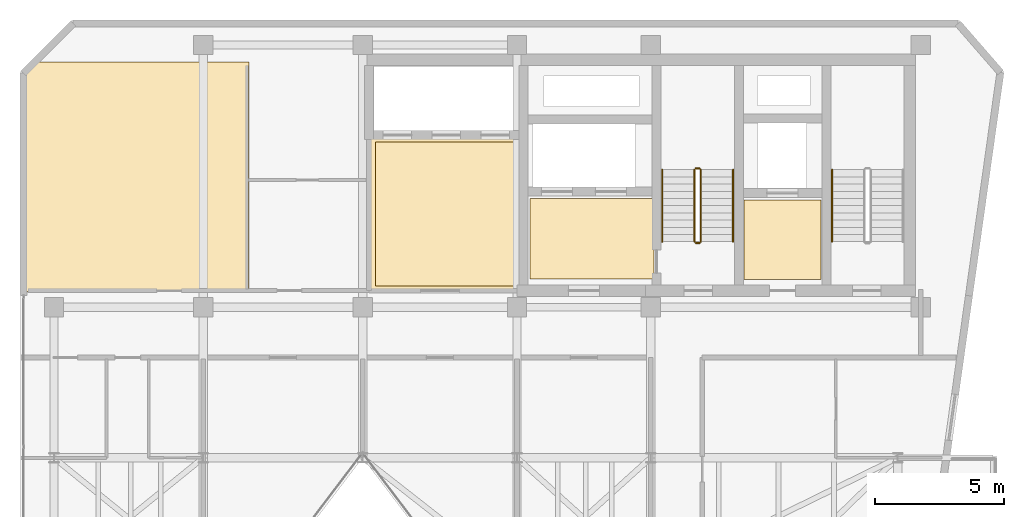
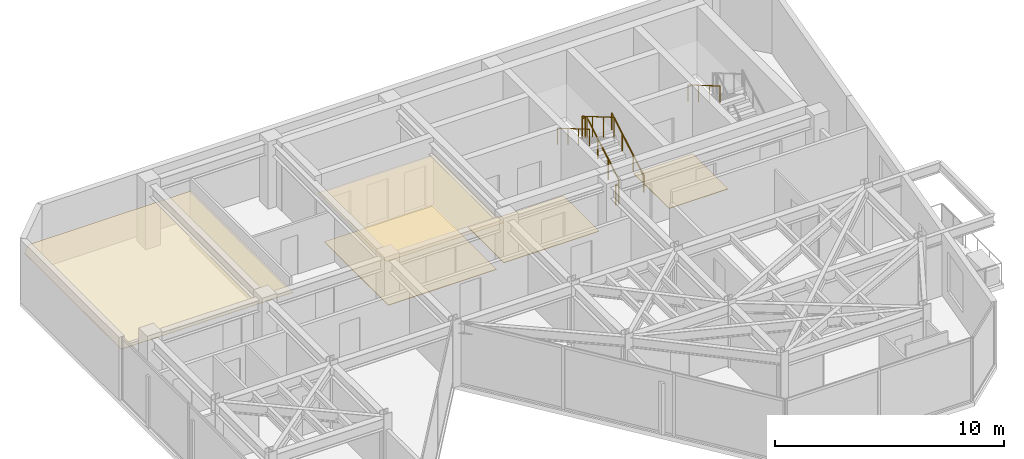
# One storey, part 16 of 17: 7 railings, 5 coverings.
"""IFC4 building model written with IfcOpenShell, lengths in metres."""

from ifc_helpers import new_model, si_unit, direction, frame, origin, origin_2d, place, context, subcontext, project, spatial, polyline, circle, outline, extrude, material, layer, layer_set, type_object, element, save


model = new_model("IFC4")

# Units and contexts
model_context = context("Model", 3, precision=1e-05, world=origin(), true_north=direction((0.0, 1.0)))
body_context = subcontext(model_context, "Body", "Model", "MODEL_VIEW")
ifc_project = project(units=[si_unit("LENGTHUNIT", "METRE"), si_unit("AREAUNIT", "SQUARE_METRE"), si_unit("VOLUMEUNIT", "CUBIC_METRE"), si_unit("PLANEANGLEUNIT", "RADIAN"), si_unit("MASSUNIT", "GRAM", prefix="KILO")], contexts=[model_context])

# Site, building, storey
site_placement = place(None, origin())
site = spatial("IfcSite", under=ifc_project, at=site_placement, CompositionType="ELEMENT")
building_placement = place(site_placement, origin())
building = spatial("IfcBuilding", under=site, at=building_placement, Name="Kravanh Interchange Tower", CompositionType="ELEMENT")
storey_placement = place(building_placement, frame((0.0, 0.0, 285.89990234375)))
storey = spatial("IfcBuildingStorey", under=building, at=storey_placement, Name="L70", CompositionType="ELEMENT", Elevation=285.89990234375)

# Coverings
ifc_material_1 = material(Name="Cementitious Terrazzo Tile")
ifc_layer_1 = layer(ifc_material_1, 0.030029296875)
ifc_layer_set_1 = layer_set([ifc_layer_1], Name="Honed Terrazzo Lobby Flooring 30mm")
covering_type_1 = type_object("IfcCoveringType", Name="Honed Terrazzo Lobby Flooring 30mm", PredefinedType="FLOORING", material=ifc_layer_set_1)
covering_1_placement = place(storey_placement, origin())
element("IfcCovering", 1, at=covering_1_placement, inside=storey, type_object=covering_type_1, Name="L70 Service Lift Lobby Floor Finish", PredefinedType="FLOORING", context=body_context, shape_type="SweptSolid", body=[
    extrude(outline(polyline([(59.6298828125, 41.52001953125), (62.6201171875, 41.52001953125), (62.6201171875, 38.429931640625), (59.6298828125, 38.429931640625), (59.6298828125, 41.52001953125)])), origin(), (0.0, 0.0, 1.0), 0.030029296875),
])
covering_2_placement = place(storey_placement, origin())
element("IfcCovering", 2, at=covering_2_placement, inside=storey, type_object=covering_type_1, Name="L70 Firefighting Lobby Floor Finish", PredefinedType="FLOORING", context=body_context, shape_type="SweptSolid", body=[
    extrude(outline(polyline([(56.1201171875, 38.4599609375), (51.300048828125, 38.4599609375), (51.300048828125, 41.580078125), (56.1201171875, 41.580078125), (56.1201171875, 38.4599609375)])), origin(), (0.0, 0.0, 1.0), 0.030029296875),
])
covering_3_placement = place(storey_placement, origin())
element("IfcCovering", 3, at=covering_3_placement, inside=storey, type_object=covering_type_1, Name="L70 High-Rise Lift Lobby Floor Finish", PredefinedType="FLOORING", context=body_context, shape_type="SweptSolid", body=[
    extrude(outline(polyline([(45.300048828125, 43.77001953125), (50.77001953125, 43.77001953125), (50.77001953125, 38.179931640625), (45.300048828125, 38.179931640625), (45.300048828125, 43.77001953125)])), origin(), (0.0, 0.0, 1.0), 0.030029296875),
])
ifc_material_2 = material(Name="Anodised Bronze Aluminium Acoustic Baffle", Category="aluminium")
ifc_layer_2 = layer(ifc_material_2, 0.034912109375)
ifc_layer_set_2 = layer_set([ifc_layer_2], Name="Linear Bronze Baffle Feature Ceiling 35mm")
covering_type_2 = type_object("IfcCoveringType", Name="Linear Bronze Baffle Feature Ceiling 35mm", PredefinedType="CEILING", material=ifc_layer_set_2)
covering_4_placement = place(storey_placement, frame((0.0, 0.0, 2.550048828125)))
element("IfcCovering", 4, at=covering_4_placement, inside=storey, type_object=covering_type_2, Name="L70 Spa Relaxation Salon Lounge Suspended Ceiling", PredefinedType="CEILING", context=body_context, shape_type="SweptSolid", body=[
    extrude(outline(polyline([(40.3798828125, 37.9599609375), (31.679931640625, 37.9599609375), (31.679931640625, 46.42529296875), (32.14453125, 46.889892578125), (40.3798828125, 46.889892578125), (40.3798828125, 37.9599609375)])), origin(), (0.0, 0.0, 1.0), 0.03515625),
])
ifc_material_3 = material(Name="Acoustic Mineral Fibre Tile on Aluminium Grid", Category="aluminium")
ifc_layer_3 = layer(ifc_material_3, 0.02490234375)
ifc_layer_set_3 = layer_set([ifc_layer_3], Name="Perforated Acoustic Mineral Ceiling 25mm")
covering_type_3 = type_object("IfcCoveringType", Name="Perforated Acoustic Mineral Ceiling 25mm", PredefinedType="CEILING", material=ifc_layer_set_3)
covering_5_placement = place(storey_placement, frame((0.0, 0.0, 2.550048828125)))
element("IfcCovering", 5, at=covering_5_placement, inside=storey, type_object=covering_type_3, Name="L70 High-Rise Lift Lobby Suspended Ceiling", PredefinedType="CEILING", context=body_context, shape_type="SweptSolid", body=[
    extrude(outline(polyline([(50.989990234375, 37.9599609375), (45.080078125, 37.9599609375), (45.080078125, 43.989990234375), (50.989990234375, 43.989990234375), (50.989990234375, 37.9599609375)])), origin(), (0.0, 0.0, 1.0), 0.025146484375),
])

# Railings
ifc_material_4 = material(Name="Structural Steel S355", Category="steel")
ifc_layer_4 = layer(ifc_material_4, 0.050048828125)
ifc_layer_set_4 = layer_set([ifc_layer_4], Name="Stair Well Guardrail Structural Steel S355 1100mm")
railing_type_1 = type_object("IfcRailingType", Name="Stair Well Guardrail Structural Steel S355 1100mm", PredefinedType="GUARDRAIL", material=ifc_layer_set_4)
railing_1_placement = place(storey_placement, frame((57.949951171875, 39.89990234375, 0.163818359375)))
element("IfcRailing", 6, at=railing_1_placement, inside=storey, type_object=railing_type_1, Name="L70 ST2 stair guard 1", PredefinedType="GUARDRAIL", context=body_context, shape_type="SweptSolid", body=[
    extrude(circle(Radius=0.02392578125, at=origin_2d()), frame((0.0, 0.0, 1.076171875), z_axis=(0.0, 0.863393664356, 0.504530851732), x_axis=(-1.0, 0.0, 0.0)), (0.0, 0.0, 1.0), 3.2431640625),
    extrude(circle(Radius=0.02099609375, at=origin_2d()), origin(), (0.0, 0.0, 1.0), 1.052001953125),
    extrude(circle(Radius=0.02099609375, at=origin_2d()), frame((0.0, 0.933349609375, 0.54541015625)), (0.0, 0.0, 1.0), 1.052001953125),
    extrude(circle(Radius=0.02099609375, at=origin_2d()), frame((0.0, 1.86669921875, 1.0908203125)), (0.0, 0.0, 1.0), 1.052001953125),
    extrude(circle(Radius=0.02099609375, at=origin_2d()), frame((0.0, 2.800048828125, 1.63623046875)), (0.0, 0.0, 1.0), 1.052001953125),
])
railing_2_placement = place(storey_placement, frame((57.89990234375, 42.75, 1.800048828125)))
element("IfcRailing", 7, at=railing_2_placement, inside=storey, type_object=railing_type_1, Name="L70 ST2 stair guard 2", PredefinedType="GUARDRAIL", context=body_context, shape_type="SweptSolid", body=[
    extrude(circle(Radius=0.02392578125, at=origin_2d()), frame((0.0, 0.0, 1.076171875), z_axis=(-1.0, 0.0, 0.0), x_axis=(0.0, -1.0, 0.0)), (0.0, 0.0, 1.0), 0.14990234375),
    extrude(circle(Radius=0.02099609375, at=origin_2d()), origin(), (0.0, 0.0, 1.0), 1.052001953125),
    extrude(circle(Radius=0.02099609375, at=origin_2d()), frame((-0.14990234375, 0.0, 0.0)), (0.0, 0.0, 1.0), 1.052001953125),
])
railing_3_placement = place(storey_placement, frame((57.699951171875, 42.699951171875, 1.963623046875)))
element("IfcRailing", 8, at=railing_3_placement, inside=storey, type_object=railing_type_1, Name="L70 ST2 stair guard 3", PredefinedType="GUARDRAIL", context=body_context, shape_type="SweptSolid", body=[
    extrude(circle(Radius=0.02392578125, at=origin_2d()), frame((0.0, 0.0, 1.076171875), z_axis=(0.0, -0.863360870873, 0.504586966384), x_axis=(1.0, 0.0, 0.0)), (0.0, 0.0, 1.0), 3.2431640625),
    extrude(circle(Radius=0.02099609375, at=origin_2d()), origin(), (0.0, 0.0, 1.0), 1.052001953125),
    extrude(circle(Radius=0.02099609375, at=origin_2d()), frame((0.0, -0.933349609375, 0.54541015625)), (0.0, 0.0, 1.0), 1.052001953125),
    extrude(circle(Radius=0.02099609375, at=origin_2d()), frame((0.0, -1.86669921875, 1.091064453125)), (0.0, 0.0, 1.0), 1.052001953125),
    extrude(circle(Radius=0.02099609375, at=origin_2d()), frame((0.0, -2.800048828125, 1.636474609375)), (0.0, 0.0, 1.0), 1.052001953125),
])
railing_4_placement = place(storey_placement, frame((57.89990234375, 39.85009765625, 0.0)))
element("IfcRailing", 9, at=railing_4_placement, inside=storey, type_object=railing_type_1, Name="L70 ST2 stair guard 4", PredefinedType="GUARDRAIL", context=body_context, shape_type="SweptSolid", body=[
    extrude(circle(Radius=0.02392578125, at=origin_2d()), frame((0.0, 0.0, 1.076171875), z_axis=(-1.0, 0.0, 0.0), x_axis=(0.0, -1.0, 0.0)), (0.0, 0.0, 1.0), 0.14990234375),
    extrude(circle(Radius=0.02099609375, at=origin_2d()), origin(), (0.0, 0.0, 1.0), 1.052001953125),
    extrude(circle(Radius=0.02099609375, at=origin_2d()), frame((-0.14990234375, 0.0, 0.0)), (0.0, 0.0, 1.0), 1.052001953125),
])
ifc_material_5 = material(Name="Stainless Steel 304", Category="steel")
ifc_layer_5 = layer(ifc_material_5, 0.044921875)
ifc_layer_set_5 = layer_set([ifc_layer_5], Name="Tubular Stair Handrail Stainless 304 900mm")
railing_type_2 = type_object("IfcRailingType", Name="Tubular Stair Handrail Stainless 304 900mm", PredefinedType="HANDRAIL", material=ifc_layer_set_5)
railing_5_placement = place(storey_placement, frame((63.050048828125, 42.699951171875, 1.963623046875)))
element("IfcRailing", 10, at=railing_5_placement, inside=storey, type_object=railing_type_2, Name="L70 ST1 stair handrail 2", PredefinedType="HANDRAIL", context=body_context, shape_type="SweptSolid", body=[
    extrude(circle(Radius=0.02392578125, at=origin_2d()), frame((0.0, 0.0, 0.8759765625), z_axis=(0.0, -0.863360870873, 0.504586966384), x_axis=(1.0, 0.0, 0.0)), (0.0, 0.0, 1.0), 3.2431640625),
    extrude(circle(Radius=0.02099609375, at=origin_2d()), origin(), (0.0, 0.0, 1.0), 0.851806640625),
    extrude(circle(Radius=0.02099609375, at=origin_2d()), frame((0.0, -0.933349609375, 0.54541015625)), (0.0, 0.0, 1.0), 0.851806640625),
    extrude(circle(Radius=0.02099609375, at=origin_2d()), frame((0.0, -1.86669921875, 1.091064453125)), (0.0, 0.0, 1.0), 0.851806640625),
    extrude(circle(Radius=0.02099609375, at=origin_2d()), frame((0.0, -2.800048828125, 1.636474609375)), (0.0, 0.0, 1.0), 0.851806640625),
])
railing_6_placement = place(storey_placement, frame((59.199951171875, 39.89990234375, 0.163818359375)))
element("IfcRailing", 11, at=railing_6_placement, inside=storey, type_object=railing_type_2, Name="L70 ST2 stair handrail 1", PredefinedType="HANDRAIL", context=body_context, shape_type="SweptSolid", body=[
    extrude(circle(Radius=0.02392578125, at=origin_2d()), frame((0.0, 0.0, 0.8759765625), z_axis=(0.0, 0.863393664356, 0.504530851732), x_axis=(-1.0, 0.0, 0.0)), (0.0, 0.0, 1.0), 3.2431640625),
    extrude(circle(Radius=0.02099609375, at=origin_2d()), origin(), (0.0, 0.0, 1.0), 0.851806640625),
    extrude(circle(Radius=0.02099609375, at=origin_2d()), frame((0.0, 0.933349609375, 0.54541015625)), (0.0, 0.0, 1.0), 0.851806640625),
    extrude(circle(Radius=0.02099609375, at=origin_2d()), frame((0.0, 1.86669921875, 1.0908203125)), (0.0, 0.0, 1.0), 0.851806640625),
    extrude(circle(Radius=0.02099609375, at=origin_2d()), frame((0.0, 2.800048828125, 1.63623046875)), (0.0, 0.0, 1.0), 0.851806640625),
])
railing_7_placement = place(storey_placement, frame((56.449951171875, 42.699951171875, 1.963623046875)))
element("IfcRailing", 12, at=railing_7_placement, inside=storey, type_object=railing_type_2, Name="L70 ST2 stair handrail 2", PredefinedType="HANDRAIL", context=body_context, shape_type="SweptSolid", body=[
    extrude(circle(Radius=0.02392578125, at=origin_2d()), frame((0.0, 0.0, 0.8759765625), z_axis=(0.0, -0.863360870873, 0.504586966384), x_axis=(1.0, 0.0, 0.0)), (0.0, 0.0, 1.0), 3.2431640625),
    extrude(circle(Radius=0.02099609375, at=origin_2d()), origin(), (0.0, 0.0, 1.0), 0.851806640625),
    extrude(circle(Radius=0.02099609375, at=origin_2d()), frame((0.0, -0.933349609375, 0.54541015625)), (0.0, 0.0, 1.0), 0.851806640625),
    extrude(circle(Radius=0.02099609375, at=origin_2d()), frame((0.0, -1.86669921875, 1.091064453125)), (0.0, 0.0, 1.0), 0.851806640625),
    extrude(circle(Radius=0.02099609375, at=origin_2d()), frame((0.0, -2.800048828125, 1.636474609375)), (0.0, 0.0, 1.0), 0.851806640625),
])

save(model, "model.ifc")
